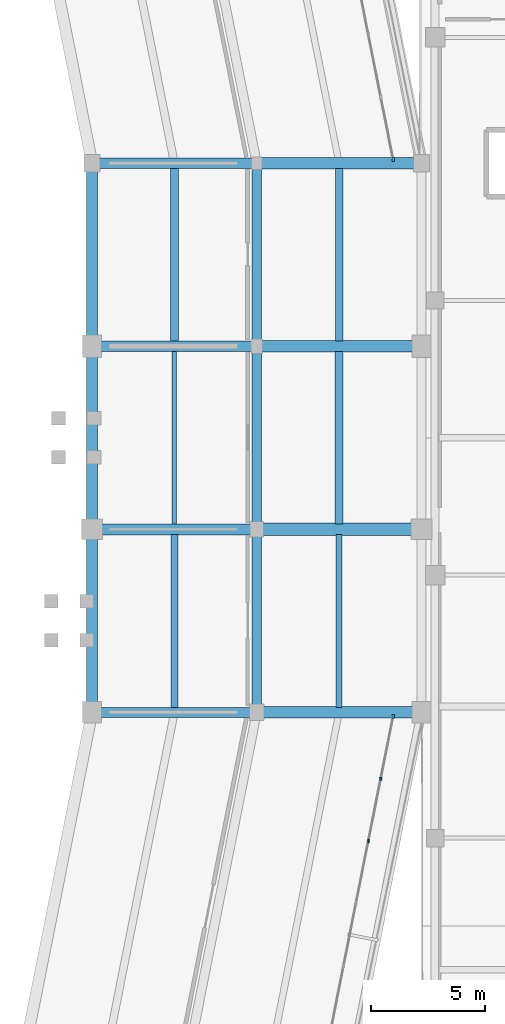
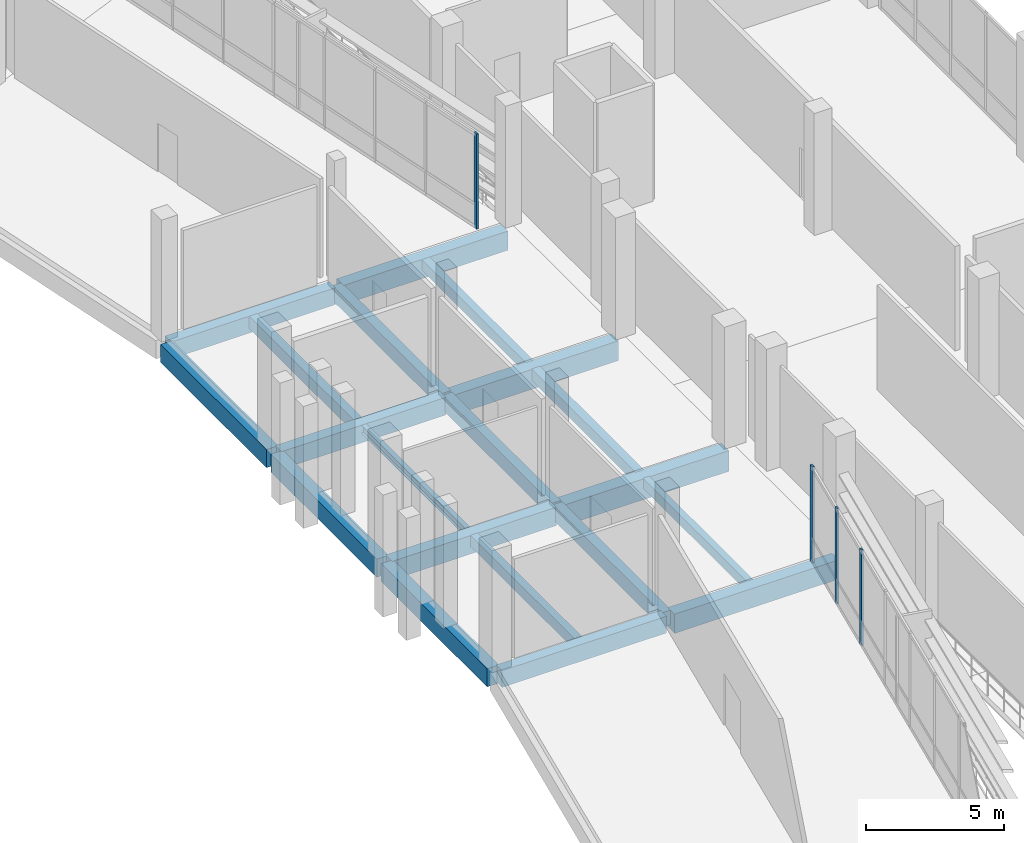
# One storey, part 41 of 114: 20 beams, 4 members, 2 elements without a shape of their own.
"""IFC4 building model written with IfcOpenShell, lengths in metres."""

from ifc_helpers import new_model, si_unit, direction, frame, origin, origin_2d, place, context, subcontext, project, spatial, rectangle, i_section, extrude, material, material_profile, profile_set, type_object, element, aggregate, save


model = new_model("IFC4")

# Units and contexts
model_context = context("Model", 3, precision=1e-05, world=origin(), true_north=direction((0.0, 1.0)))
body_context = subcontext(model_context, "Body", "Model", "MODEL_VIEW")
ifc_project = project(units=[si_unit("LENGTHUNIT", "METRE"), si_unit("AREAUNIT", "SQUARE_METRE"), si_unit("VOLUMEUNIT", "CUBIC_METRE"), si_unit("PLANEANGLEUNIT", "RADIAN"), si_unit("MASSUNIT", "GRAM", prefix="KILO")], contexts=[model_context])

# Site, building, storey
site_placement = place(None, origin())
site = spatial("IfcSite", under=ifc_project, at=site_placement, CompositionType="ELEMENT")
building_placement = place(site_placement, origin())
building = spatial("IfcBuilding", under=site, at=building_placement, Name="Candeia Ridge Stadium", CompositionType="ELEMENT")
storey_placement = place(building_placement, frame((0.0, 0.0, 5.39990234375)))
storey = spatial("IfcBuildingStorey", under=building, at=storey_placement, Name="L01", CompositionType="ELEMENT", Elevation=5.39990234375)

# Beams
ifc_material_1 = material(Name="Concrete C45/55", Category="concrete")
ifc_material_profile_1 = material_profile(ifc_material_1, rectangle(XDim=0.449951171875, YDim=0.75, at=origin_2d()), Name="RC450x750", Category="concrete")
ifc_profile_set_1 = profile_set([ifc_material_profile_1], Name="Concrete C45/55")
beam_type_1 = type_object("IfcBeamType", Name="Bowl Radial Girder RC450x750", PredefinedType="BEAM", material=ifc_profile_set_1)
beam_1_placement = place(storey_placement, frame((178.760009765625, 95.0, -0.635009765625), z_axis=(1.0, 0.0, 0.0), x_axis=(0.0, 1.0, 0.0)))
element("IfcBeam", 1, at=beam_1_placement, inside=storey, type_object=beam_type_1, Name="Bowl radial girder BM-L01-0065", PredefinedType="BEAM", context=body_context, shape_type="SweptSolid", body=[
    extrude(rectangle(XDim=0.449951171875, YDim=0.75, at=origin_2d()), origin(), (0.0, 0.0, 1.0), 6.8798828125),
])
ifc_material_2 = material(Name="Concrete C40/50", Category="concrete")
ifc_material_profile_2 = material_profile(ifc_material_2, rectangle(XDim=0.35009765625, YDim=0.550048828125, at=origin_2d()), Name="RC350x550", Category="concrete")
ifc_profile_set_2 = profile_set([ifc_material_profile_2], Name="Concrete C40/50")
beam_type_2 = type_object("IfcBeamType", Name="Concourse Concrete Joist RC350x550", PredefinedType="JOIST", material=ifc_profile_set_2)
beam_2_placement = place(storey_placement, frame((182.199951171875, 87.221923828125, -0.534912109375), z_axis=(0.0, 1.0, 0.0), x_axis=(-1.0, 0.0, 0.0)))
element("IfcBeam", 2, at=beam_2_placement, inside=storey, type_object=beam_type_2, Name="Concourse secondary joist BM-L01-0220", PredefinedType="JOIST", context=body_context, shape_type="SweptSolid", body=[
    extrude(rectangle(XDim=0.35009765625, YDim=0.550048828125, at=origin_2d()), origin(), (0.0, 0.0, 1.0), 7.55615234375),
])
ifc_material_3 = material(Name="Steel ASTM A572 Grade 50", Category="steel")
ifc_material_profile_3 = material_profile(ifc_material_3, i_section(OverallWidth=0.205078125, OverallDepth=0.35400390625, WebThickness=0.009521484375, FlangeThickness=0.016845703125, FilletRadius=0.014892578125, at=origin_2d()), Name="W360x79", Category="steel")
ifc_profile_set_3 = profile_set([ifc_material_profile_3], Name="Steel ASTM A572 Grade 50")
beam_type_3 = type_object("IfcBeamType", Name="Concourse Secondary Joist W360x79", PredefinedType="JOIST", material=ifc_profile_set_3)
beam_3_placement = place(storey_placement, frame((182.199951171875, 79.221923828125, -0.43701171875), z_axis=(0.0, 1.0, 0.0), x_axis=(-1.0, 0.0, 0.0)))
element("IfcBeam", 3, at=beam_3_placement, inside=storey, type_object=beam_type_3, Name="Concourse secondary joist BM-L01-0215", PredefinedType="JOIST", context=body_context, shape_type="SweptSolid", body=[
    extrude(i_section(OverallWidth=0.205078125, OverallDepth=0.35400390625, WebThickness=0.009521484375, FlangeThickness=0.016845703125, FilletRadius=0.014892578125, at=origin_2d()), origin(), (0.0, 0.0, 1.0), 7.55615234375),
])

# Curtain wall, member
ifc_material_4 = material(Name="Aluminium Anodized Warm Bronze", Category="aluminium")
curtain_wall_type = type_object("IfcCurtainWallType", Name="Concourse Recessed Unitised Curtain Wall", PredefinedType="NOTDEFINED", material=ifc_material_4)
curtain_wall_1_placement = place(storey_placement, origin())
curtain_wall_1 = element("IfcCurtainWall", 4, at=curtain_wall_1_placement, inside=storey, type_object=curtain_wall_type, Name="Unitised curtain wall CW-BWL-L01-28", PredefinedType="NOTDEFINED")
ifc_material_profile_4 = material_profile(ifc_material_4, rectangle(XDim=0.090087890625, YDim=0.179931640625, at=origin_2d()), Name="CWM-90x180", Category="aluminium")
ifc_profile_set_4 = profile_set([ifc_material_profile_4], Name="Aluminium Anodized Warm Bronze")
member_type_1 = type_object("IfcMemberType", Name="Curtain Wall Primary Mullion 90x180", PredefinedType="MULLION", material=ifc_profile_set_4)
member_1_placement = place(storey_placement, frame((191.764892578125, 70.823486328125, 0.0), z_axis=(0.0, 0.0, 1.0), x_axis=(1.0, 0.0, 0.0)))
member_1 = element("IfcMember", 5, at=member_1_placement, type_object=member_type_1, Name="Curtain wall mullion CW-BWL-L01-28-M7", PredefinedType="MULLION", context=body_context, shape_type="SweptSolid", body=[
    extrude(rectangle(XDim=0.090087890625, YDim=0.179931640625, at=origin_2d()), origin(), (0.0, 0.0, 1.0), 4.2451171875),
])

curtain_wall_2_placement = place(storey_placement, origin())
curtain_wall_2 = element("IfcCurtainWall", 6, at=curtain_wall_2_placement, inside=storey, type_object=curtain_wall_type, Name="Unitised curtain wall CW-BWL-L01-32", PredefinedType="NOTDEFINED")
member_2_placement = place(storey_placement, frame((191.764892578125, 95.176513671875, 0.0), z_axis=(0.0, 0.0, 1.0), x_axis=(1.0, 0.0, 0.0)))
member_2 = element("IfcMember", 7, at=member_2_placement, type_object=member_type_1, Name="Curtain wall mullion CW-BWL-L01-32-M0", PredefinedType="MULLION", context=body_context, shape_type="SweptSolid", body=[
    extrude(rectangle(XDim=0.090087890625, YDim=0.179931640625, at=origin_2d()), origin(), (0.0, 0.0, 1.0), 4.205078125),
])
aggregate(curtain_wall_2, [member_2])

# Member
ifc_material_profile_5 = material_profile(ifc_material_4, rectangle(XDim=0.074951171875, YDim=0.14990234375, at=origin_2d()), Name="CWM-75x150", Category="aluminium")
ifc_profile_set_5 = profile_set([ifc_material_profile_5], Name="Aluminium Anodized Warm Bronze")
member_type_2 = type_object("IfcMemberType", Name="Curtain Wall Secondary Mullion 75x150", PredefinedType="MULLION", material=ifc_profile_set_5)
member_3_placement = place(storey_placement, frame((190.68017578125, 65.3701171875, 0.0), z_axis=(0.0, 0.0, 1.0), x_axis=(1.0, 0.0, 0.0)))
member_3 = element("IfcMember", 8, at=member_3_placement, type_object=member_type_2, Name="Curtain wall mullion CW-BWL-L01-28-M5", PredefinedType="MULLION", context=body_context, shape_type="SweptSolid", body=[
    extrude(rectangle(XDim=0.074951171875, YDim=0.14990234375, at=origin_2d()), origin(), (0.0, 0.0, 1.0), 4.2451171875),
])

member_4_placement = place(storey_placement, frame((191.222412109375, 68.0966796875, 0.0), z_axis=(0.0, 0.0, 1.0), x_axis=(1.0, 0.0, 0.0)))
member_4 = element("IfcMember", 9, at=member_4_placement, type_object=member_type_2, Name="Curtain wall mullion CW-BWL-L01-28-M6", PredefinedType="MULLION", context=body_context, shape_type="SweptSolid", body=[
    extrude(rectangle(XDim=0.074951171875, YDim=0.14990234375, at=origin_2d()), origin(), (0.0, 0.0, 1.0), 4.2451171875),
])

aggregate(curtain_wall_1, [member_3, member_4, member_1])

# Beams
ifc_material_profile_6 = material_profile(ifc_material_2, rectangle(XDim=0.27001953125, YDim=0.43994140625, at=origin_2d()), Name="RC270x440", Category="concrete")
ifc_profile_set_6 = profile_set([ifc_material_profile_6], Name="Concrete C40/50")
beam_type_4 = type_object("IfcBeamType", Name="Floor Joist RC270x440", PredefinedType="JOIST", material=ifc_profile_set_6)
beam_4_placement = place(storey_placement, frame((189.39990234375, 71.221923828125, -0.47998046875), z_axis=(0.0, 1.0, 0.0), x_axis=(-1.0, 0.0, 0.0)))
element("IfcBeam", 10, at=beam_4_placement, inside=storey, type_object=beam_type_4, Name="Concourse secondary joist BM-L01-0211", PredefinedType="JOIST", context=body_context, shape_type="SweptSolid", body=[
    extrude(rectangle(XDim=0.27001953125, YDim=0.43994140625, at=origin_2d()), origin(), (0.0, 0.0, 1.0), 7.55615234375),
])
ifc_material_profile_7 = material_profile(ifc_material_2, rectangle(XDim=0.31005859375, YDim=0.489990234375, at=origin_2d()), Name="RC310x490", Category="concrete")
ifc_profile_set_7 = profile_set([ifc_material_profile_7], Name="Concrete C40/50")
beam_type_5 = type_object("IfcBeamType", Name="Floor Joist RC310x490", PredefinedType="JOIST", material=ifc_profile_set_7)
beam_5_placement = place(storey_placement, frame((182.199951171875, 71.221923828125, -0.5048828125), z_axis=(0.0, 1.0, 0.0), x_axis=(-1.0, 0.0, 0.0)))
element("IfcBeam", 11, at=beam_5_placement, inside=storey, type_object=beam_type_5, Name="Concourse secondary joist BM-L01-0210", PredefinedType="JOIST", context=body_context, shape_type="SweptSolid", body=[
    extrude(rectangle(XDim=0.31005859375, YDim=0.489990234375, at=origin_2d()), origin(), (0.0, 0.0, 1.0), 7.55615234375),
])
ifc_material_profile_8 = material_profile(ifc_material_2, rectangle(XDim=0.320068359375, YDim=0.47998046875, at=origin_2d()), Name="RC320x480", Category="concrete")
ifc_profile_set_8 = profile_set([ifc_material_profile_8], Name="Concrete C40/50")
beam_type_6 = type_object("IfcBeamType", Name="Floor Joist RC320x480", PredefinedType="JOIST", material=ifc_profile_set_8)
beam_6_placement = place(storey_placement, frame((189.39990234375, 87.221923828125, -0.5), z_axis=(0.0, 1.0, 0.0), x_axis=(-1.0, 0.0, 0.0)))
element("IfcBeam", 12, at=beam_6_placement, inside=storey, type_object=beam_type_6, Name="Concourse secondary joist BM-L01-0221", PredefinedType="JOIST", context=body_context, shape_type="SweptSolid", body=[
    extrude(rectangle(XDim=0.320068359375, YDim=0.47998046875, at=origin_2d()), origin(), (0.0, 0.0, 1.0), 7.55615234375),
])
ifc_material_profile_9 = material_profile(ifc_material_2, rectangle(XDim=0.35009765625, YDim=0.5, at=origin_2d()), Name="RC350x500", Category="concrete")
ifc_profile_set_9 = profile_set([ifc_material_profile_9], Name="Concrete C40/50")
beam_type_7 = type_object("IfcBeamType", Name="Floor Joist RC350x500", PredefinedType="JOIST", material=ifc_profile_set_9)
beam_7_placement = place(storey_placement, frame((189.39990234375, 79.221923828125, -0.510009765625), z_axis=(0.0, 1.0, 0.0), x_axis=(-1.0, 0.0, 0.0)))
element("IfcBeam", 13, at=beam_7_placement, inside=storey, type_object=beam_type_7, Name="Concourse secondary joist BM-L01-0216", PredefinedType="JOIST", context=body_context, shape_type="SweptSolid", body=[
    extrude(rectangle(XDim=0.35009765625, YDim=0.5, at=origin_2d()), origin(), (0.0, 0.0, 1.0), 7.55615234375),
])
ifc_material_profile_10 = material_profile(ifc_material_2, rectangle(XDim=0.429931640625, YDim=0.739990234375, at=origin_2d()), Name="RC430x740", Category="concrete")
ifc_profile_set_10 = profile_set([ifc_material_profile_10], Name="Concrete C40/50")
beam_type_8 = type_object("IfcBeamType", Name="Frame Girder RC430x740", PredefinedType="BEAM", material=ifc_profile_set_10)
beam_8_placement = place(storey_placement, frame((178.760009765625, 71.0, -0.6298828125), z_axis=(1.0, 0.0, 0.0), x_axis=(0.0, 1.0, 0.0)))
element("IfcBeam", 14, at=beam_8_placement, inside=storey, type_object=beam_type_8, Name="Bowl radial girder BM-L01-0059", PredefinedType="BEAM", context=body_context, shape_type="SweptSolid", body=[
    extrude(rectangle(XDim=0.429931640625, YDim=0.739990234375, at=origin_2d()), origin(), (0.0, 0.0, 1.0), 6.8798828125),
])
ifc_material_profile_11 = material_profile(ifc_material_2, rectangle(XDim=0.4599609375, YDim=0.780029296875, at=origin_2d()), Name="RC460x780", Category="concrete")
ifc_profile_set_11 = profile_set([ifc_material_profile_11], Name="Concrete C40/50")
beam_type_9 = type_object("IfcBeamType", Name="Frame Girder RC460x780", PredefinedType="BEAM", material=ifc_profile_set_11)
beam_9_placement = place(storey_placement, frame((178.760009765625, 87.0, -0.64990234375), z_axis=(1.0, 0.0, 0.0), x_axis=(0.0, 1.0, 0.0)))
element("IfcBeam", 15, at=beam_9_placement, inside=storey, type_object=beam_type_9, Name="Bowl radial girder BM-L01-0063", PredefinedType="BEAM", context=body_context, shape_type="SweptSolid", body=[
    extrude(rectangle(XDim=0.4599609375, YDim=0.780029296875, at=origin_2d()), origin(), (0.0, 0.0, 1.0), 6.8798828125),
])
ifc_material_profile_12 = material_profile(ifc_material_1, rectangle(XDim=0.47998046875, YDim=0.820068359375, at=origin_2d()), Name="RC480x820", Category="concrete")
ifc_profile_set_12 = profile_set([ifc_material_profile_12], Name="Concrete C45/55")
beam_type_10 = type_object("IfcBeamType", Name="Frame Girder RC480x820", PredefinedType="BEAM", material=ifc_profile_set_12)
beam_10_placement = place(storey_placement, frame((178.760009765625, 79.0, -0.669921875), z_axis=(1.0, 0.0, 0.0), x_axis=(0.0, 1.0, 0.0)))
element("IfcBeam", 16, at=beam_10_placement, inside=storey, type_object=beam_type_10, Name="Bowl radial girder BM-L01-0061", PredefinedType="BEAM", context=body_context, shape_type="SweptSolid", body=[
    extrude(rectangle(XDim=0.47998046875, YDim=0.820068359375, at=origin_2d()), origin(), (0.0, 0.0, 1.0), 6.8798828125),
])
ifc_material_profile_13 = material_profile(ifc_material_2, rectangle(XDim=0.5, YDim=0.800048828125, at=origin_2d()), Name="RC500x800", Category="concrete")
ifc_profile_set_13 = profile_set([ifc_material_profile_13], Name="Concrete C40/50")
beam_type_11 = type_object("IfcBeamType", Name="Frame Girder RC500x800", PredefinedType="BEAM", material=ifc_profile_set_13)
for number, where, z_axis, x_axis, name in (
    (17, (178.60009765625, 71.159912109375, -0.659912109375), (0.0, 1.0, 0.0), (-1.0, 0.0, 0.0), "Bowl inner ring girder BM-L01-0207"),
    (18, (178.60009765625, 79.159912109375, -0.659912109375), (0.0, 1.0, 0.0), (-1.0, 0.0, 0.0), "Bowl inner ring girder BM-L01-0212"),
    (19, (178.60009765625, 87.159912109375, -0.659912109375), (0.0, 1.0, 0.0), (-1.0, 0.0, 0.0), "Bowl inner ring girder BM-L01-0217"),
):
    element("IfcBeam", number, at=place(storey_placement, frame(where, z_axis=z_axis, x_axis=x_axis)), inside=storey, type_object=beam_type_11, Name=name, PredefinedType="BEAM", context=body_context, shape_type="SweptSolid", body=[
        extrude(rectangle(XDim=0.5, YDim=0.800048828125, at=origin_2d()), origin(), (0.0, 0.0, 1.0), 7.68017578125),
    ])
ifc_material_profile_14 = material_profile(ifc_material_1, rectangle(XDim=0.5, YDim=0.85009765625, at=origin_2d()), Name="RC500x850", Category="concrete")
ifc_profile_set_14 = profile_set([ifc_material_profile_14], Name="Concrete C45/55")
beam_type_12 = type_object("IfcBeamType", Name="Frame Girder RC500x850", PredefinedType="BEAM", material=ifc_profile_set_14)
for number, where, z_axis, x_axis, name in (
    (20, (185.9599609375, 71.0, -0.684814453125), (1.0, 0.0, 0.0), (0.0, 1.0, 0.0), "Bowl radial girder BM-L01-0060"),
    (21, (185.9599609375, 95.0, -0.684814453125), (1.0, 0.0, 0.0), (0.0, 1.0, 0.0), "Bowl radial girder BM-L01-0066"),
):
    element("IfcBeam", number, at=place(storey_placement, frame(where, z_axis=z_axis, x_axis=x_axis)), inside=storey, type_object=beam_type_12, Name=name, PredefinedType="BEAM", context=body_context, shape_type="SweptSolid", body=[
        extrude(rectangle(XDim=0.5, YDim=0.85009765625, at=origin_2d()), origin(), (0.0, 0.0, 1.0), 6.880126953125),
    ])
ifc_material_profile_15 = material_profile(ifc_material_1, rectangle(XDim=0.52001953125, YDim=0.8798828125, at=origin_2d()), Name="RC520x880", Category="concrete")
ifc_profile_set_15 = profile_set([ifc_material_profile_15], Name="Concrete C45/55")
beam_type_13 = type_object("IfcBeamType", Name="Frame Girder RC520x880", PredefinedType="BEAM", material=ifc_profile_set_15)
beam_11_placement = place(storey_placement, frame((185.9599609375, 87.0, -0.699951171875), z_axis=(1.0, 0.0, 0.0), x_axis=(0.0, 1.0, 0.0)))
element("IfcBeam", 22, at=beam_11_placement, inside=storey, type_object=beam_type_13, Name="Bowl radial girder BM-L01-0064", PredefinedType="BEAM", context=body_context, shape_type="SweptSolid", body=[
    extrude(rectangle(XDim=0.52001953125, YDim=0.8798828125, at=origin_2d()), origin(), (0.0, 0.0, 1.0), 6.880126953125),
])
ifc_material_profile_16 = material_profile(ifc_material_1, rectangle(XDim=0.550048828125, YDim=0.919921875, at=origin_2d()), Name="RC550x920", Category="concrete")
ifc_profile_set_16 = profile_set([ifc_material_profile_16], Name="Concrete C45/55")
beam_type_14 = type_object("IfcBeamType", Name="Frame Girder RC550x920", PredefinedType="BEAM", material=ifc_profile_set_16)
beam_12_placement = place(storey_placement, frame((185.9599609375, 79.0, -0.719970703125), z_axis=(1.0, 0.0, 0.0), x_axis=(0.0, 1.0, 0.0)))
element("IfcBeam", 23, at=beam_12_placement, inside=storey, type_object=beam_type_14, Name="Bowl radial girder BM-L01-0062", PredefinedType="BEAM", context=body_context, shape_type="SweptSolid", body=[
    extrude(rectangle(XDim=0.550048828125, YDim=0.919921875, at=origin_2d()), origin(), (0.0, 0.0, 1.0), 6.880126953125),
])
ifc_material_profile_17 = material_profile(ifc_material_2, rectangle(XDim=0.39990234375, YDim=0.64990234375, at=origin_2d()), Name="RC400x650", Category="concrete")
ifc_profile_set_17 = profile_set([ifc_material_profile_17], Name="Concrete C40/50")
beam_type_15 = type_object("IfcBeamType", Name="Wing Primary Girder RC400x650", PredefinedType="BEAM", material=ifc_profile_set_17)
for number, where, z_axis, x_axis, name in (
    (24, (185.800048828125, 71.050048828125, -0.5849609375), (0.0, 1.0, 0.0), (-1.0, 0.0, 0.0), "Concourse spine girder BM-L01-0208"),
    (25, (185.800048828125, 79.050048828125, -0.5849609375), (0.0, 1.0, 0.0), (-1.0, 0.0, 0.0), "Concourse spine girder BM-L01-0213"),
    (26, (185.800048828125, 87.050048828125, -0.5849609375), (0.0, 1.0, 0.0), (-1.0, 0.0, 0.0), "Concourse spine girder BM-L01-0218"),
):
    element("IfcBeam", number, at=place(storey_placement, frame(where, z_axis=z_axis, x_axis=x_axis)), inside=storey, type_object=beam_type_15, Name=name, PredefinedType="BEAM", context=body_context, shape_type="SweptSolid", body=[
        extrude(rectangle(XDim=0.39990234375, YDim=0.64990234375, at=origin_2d()), origin(), (0.0, 0.0, 1.0), 7.89990234375),
    ])

save(model, "model.ifc")
